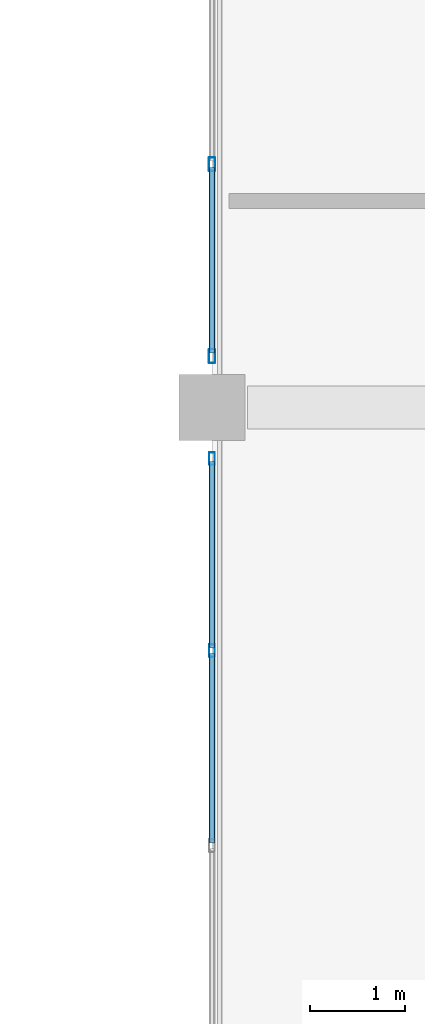
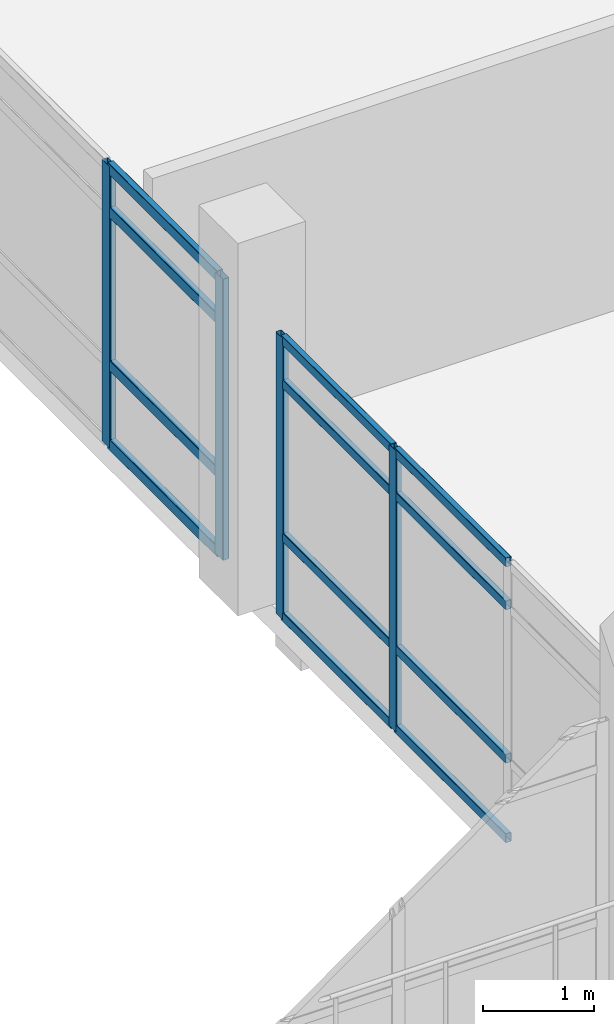
# One storey, part 45 of 134: 16 members, 2 elements without a shape of their own.
"""IFC4 building model written with IfcOpenShell, lengths in metres."""

from ifc_helpers import new_model, si_unit, direction, frame, origin, origin_2d, place, context, subcontext, project, spatial, hollow_rectangle, extrude, material, layer, layer_set, material_profile, profile_set, type_object, element, aggregate, save


model = new_model("IFC4")

# Units and contexts
model_context = context("Model", 3, precision=1e-05, world=origin(), true_north=direction((0.0, 1.0)))
body_context = subcontext(model_context, "Body", "Model", "MODEL_VIEW")
ifc_project = project(units=[si_unit("LENGTHUNIT", "METRE"), si_unit("AREAUNIT", "SQUARE_METRE"), si_unit("VOLUMEUNIT", "CUBIC_METRE"), si_unit("PLANEANGLEUNIT", "RADIAN"), si_unit("MASSUNIT", "GRAM", prefix="KILO")], contexts=[model_context])

# Site, building, storey
site_placement = place(None, origin())
site = spatial("IfcSite", under=ifc_project, at=site_placement, CompositionType="ELEMENT")
building_placement = place(site_placement, origin())
building = spatial("IfcBuilding", under=site, at=building_placement, Name="Asteropetra Specialist Clinic", CompositionType="ELEMENT")
storey_placement = place(building_placement, frame((0.0, 0.0, 8.5)))
storey = spatial("IfcBuildingStorey", under=building, at=storey_placement, Name="L02", CompositionType="ELEMENT", Elevation=8.5)

# Curtain wall, members
ifc_material_1 = material(Name="Aluminium and low-E glass", Category="aluminium")
ifc_layer_1 = layer(ifc_material_1, 0.14990234375)
ifc_layer_set_1 = layer_set([ifc_layer_1], Name="Aluminium and low-E glass")
curtain_wall_type_1 = type_object("IfcCurtainWallType", Name="CW-SYS-05", PredefinedType="USERDEFINED", material=ifc_layer_set_1)
curtain_wall_1_placement = place(storey_placement, origin())
curtain_wall_1 = element("IfcCurtainWall", 1, at=curtain_wall_1_placement, inside=storey, type_object=curtain_wall_type_1, Name="Curtain Wall CW-038", ObjectType="UNITISED CURTAIN WALL", PredefinedType="USERDEFINED")
ifc_material_2 = material(Name="Aluminium 6063-T6", Category="aluminium")
ifc_material_profile_1 = material_profile(ifc_material_2, hollow_rectangle(XDim=0.06005859375, YDim=0.135009765625, WallThickness=0.00341796875, InnerFilletRadius=0.00341796875, OuterFilletRadius=0.007080078125, at=origin_2d()), Name="MUL 135x60x3.5")
ifc_profile_set_1 = profile_set([ifc_material_profile_1], Name="Aluminium 6063-T6")
member_type_1 = type_object("IfcMemberType", Name="CWM-135x60", PredefinedType="MULLION", material=ifc_profile_set_1)
member_1_placement = place(storey_placement, frame((28.800048828125, 81.429931640625, 0.0), z_axis=(0.0, 0.0, 1.0), x_axis=(-1.0, 0.0, 0.0)))
member_1 = element("IfcMember", 2, at=member_1_placement, type_object=member_type_1, Name="CW-038 mullion 3", PredefinedType="MULLION", context=body_context, shape_type="SweptSolid", body=[
    extrude(hollow_rectangle(XDim=0.06005859375, YDim=0.135009765625, WallThickness=0.00341796875, InnerFilletRadius=0.00341796875, OuterFilletRadius=0.007080078125, at=origin_2d()), origin(), (0.0, 0.0, 1.0), 3.080078125),
])
member_2_placement = place(storey_placement, frame((28.800048828125, 83.4599609375, 0.0), z_axis=(0.0, 0.0, 1.0), x_axis=(-1.0, 0.0, 0.0)))
member_2 = element("IfcMember", 3, at=member_2_placement, type_object=member_type_1, Name="CW-038 mullion 4", PredefinedType="MULLION", context=body_context, shape_type="SweptSolid", body=[
    extrude(hollow_rectangle(XDim=0.06005859375, YDim=0.135009765625, WallThickness=0.00341796875, InnerFilletRadius=0.00341796875, OuterFilletRadius=0.007080078125, at=origin_2d()), origin(), (0.0, 0.0, 1.0), 3.080078125),
])

ifc_material_3 = material(Name="Aluminium and low-E glass", Category="aluminium")
ifc_layer_2 = layer(ifc_material_3, 0.135009765625)
ifc_layer_set_2 = layer_set([ifc_layer_2], Name="Aluminium and low-E glass")
curtain_wall_type_2 = type_object("IfcCurtainWallType", Name="CW-SYS-06", PredefinedType="USERDEFINED", material=ifc_layer_set_2)
curtain_wall_2_placement = place(storey_placement, origin())
curtain_wall_2 = element("IfcCurtainWall", 4, at=curtain_wall_2_placement, inside=storey, type_object=curtain_wall_type_2, Name="Curtain Wall CW-040", ObjectType="UNITISED CURTAIN WALL", PredefinedType="USERDEFINED")
ifc_material_4 = material(Name="Aluminium 6063-T6", Category="aluminium")
ifc_material_profile_2 = material_profile(ifc_material_4, hollow_rectangle(XDim=0.06494140625, YDim=0.14990234375, WallThickness=0.00390625, InnerFilletRadius=0.00390625, OuterFilletRadius=0.008056640625, at=origin_2d()), Name="MUL 150x65x4.0")
ifc_profile_set_2 = profile_set([ifc_material_profile_2], Name="Aluminium 6063-T6")
member_type_2 = type_object("IfcMemberType", Name="CWM-150x65", PredefinedType="MULLION", material=ifc_profile_set_2)
member_3_placement = place(storey_placement, frame((28.800048828125, 84.54248046875, 0.0), z_axis=(0.0, 0.0, 1.0), x_axis=(-1.0, 0.0, 0.0)))
member_3 = element("IfcMember", 5, at=member_3_placement, type_object=member_type_2, Name="CW-040 mullion 1", PredefinedType="MULLION", context=body_context, shape_type="SweptSolid", body=[
    extrude(hollow_rectangle(XDim=0.06494140625, YDim=0.14990234375, WallThickness=0.00390625, InnerFilletRadius=0.00390625, OuterFilletRadius=0.008056640625, at=origin_2d()), origin(), (0.0, 0.0, 1.0), 3.080078125),
])
member_4_placement = place(storey_placement, frame((28.800048828125, 86.570068359375, 0.0), z_axis=(0.0, 0.0, 1.0), x_axis=(-1.0, 0.0, 0.0)))
member_4 = element("IfcMember", 6, at=member_4_placement, type_object=member_type_2, Name="CW-040 mullion 2", PredefinedType="MULLION", context=body_context, shape_type="SweptSolid", body=[
    extrude(hollow_rectangle(XDim=0.06494140625, YDim=0.14990234375, WallThickness=0.00390625, InnerFilletRadius=0.00390625, OuterFilletRadius=0.008056640625, at=origin_2d()), origin(), (0.0, 0.0, 1.0), 3.080078125),
])

# Member
ifc_material_5 = material(Name="Aluminium 6063-T6", Category="aluminium")
ifc_material_profile_3 = material_profile(ifc_material_5, hollow_rectangle(XDim=0.06005859375, YDim=0.10009765625, WallThickness=0.00341796875, InnerFilletRadius=0.00341796875, OuterFilletRadius=0.007080078125, at=origin_2d()), Name="TRN 100x60x3.5")
ifc_profile_set_3 = profile_set([ifc_material_profile_3], Name="Aluminium 6063-T6")
member_type_3 = type_object("IfcMemberType", Name="CWT-100x60", PredefinedType="USERDEFINED", material=ifc_profile_set_3)
member_5_placement = place(storey_placement, frame((28.800048828125, 79.39990234375, 0.030029296875), z_axis=(0.0, 1.0, 0.0), x_axis=(-1.0, 0.0, 0.0)))
member_5 = element("IfcMember", 7, at=member_5_placement, type_object=member_type_3, Name="CW-038 transom 2.1", ObjectType="TRANSOM", PredefinedType="USERDEFINED", context=body_context, shape_type="SweptSolid", body=[
    extrude(hollow_rectangle(XDim=0.06005859375, YDim=0.10009765625, WallThickness=0.00341796875, InnerFilletRadius=0.00341796875, OuterFilletRadius=0.007080078125, at=origin_2d()), origin(), (0.0, 0.0, 1.0), 2.0),
])

member_6_placement = place(storey_placement, frame((28.800048828125, 79.39990234375, 0.89990234375), z_axis=(0.0, 1.0, 0.0), x_axis=(-1.0, 0.0, 0.0)))
member_6 = element("IfcMember", 8, at=member_6_placement, type_object=member_type_3, Name="CW-038 transom 2.2", ObjectType="TRANSOM", PredefinedType="USERDEFINED", context=body_context, shape_type="SweptSolid", body=[
    extrude(hollow_rectangle(XDim=0.06005859375, YDim=0.10009765625, WallThickness=0.00341796875, InnerFilletRadius=0.00341796875, OuterFilletRadius=0.007080078125, at=origin_2d()), origin(), (0.0, 0.0, 1.0), 2.0),
])

member_7_placement = place(storey_placement, frame((28.800048828125, 79.39990234375, 2.580078125), z_axis=(0.0, 1.0, 0.0), x_axis=(-1.0, 0.0, 0.0)))
member_7 = element("IfcMember", 9, at=member_7_placement, type_object=member_type_3, Name="CW-038 transom 2.3", ObjectType="TRANSOM", PredefinedType="USERDEFINED", context=body_context, shape_type="SweptSolid", body=[
    extrude(hollow_rectangle(XDim=0.06005859375, YDim=0.10009765625, WallThickness=0.00341796875, InnerFilletRadius=0.00341796875, OuterFilletRadius=0.007080078125, at=origin_2d()), origin(), (0.0, 0.0, 1.0), 2.0),
])

member_8_placement = place(storey_placement, frame((28.800048828125, 79.39990234375, 3.050048828125), z_axis=(0.0, 1.0, 0.0), x_axis=(-1.0, 0.0, 0.0)))
member_8 = element("IfcMember", 10, at=member_8_placement, type_object=member_type_3, Name="CW-038 transom 2.4", ObjectType="TRANSOM", PredefinedType="USERDEFINED", context=body_context, shape_type="SweptSolid", body=[
    extrude(hollow_rectangle(XDim=0.06005859375, YDim=0.10009765625, WallThickness=0.00341796875, InnerFilletRadius=0.00341796875, OuterFilletRadius=0.007080078125, at=origin_2d()), origin(), (0.0, 0.0, 1.0), 2.0),
])

member_9_placement = place(storey_placement, frame((28.800048828125, 81.4599609375, 0.030029296875), z_axis=(0.0, 1.0, 0.0), x_axis=(-1.0, 0.0, 0.0)))
member_9 = element("IfcMember", 11, at=member_9_placement, type_object=member_type_3, Name="CW-038 transom 3.1", ObjectType="TRANSOM", PredefinedType="USERDEFINED", context=body_context, shape_type="SweptSolid", body=[
    extrude(hollow_rectangle(XDim=0.06005859375, YDim=0.10009765625, WallThickness=0.00341796875, InnerFilletRadius=0.00341796875, OuterFilletRadius=0.007080078125, at=origin_2d()), origin(), (0.0, 0.0, 1.0), 1.969970703125),
])

member_10_placement = place(storey_placement, frame((28.800048828125, 81.4599609375, 0.89990234375), z_axis=(0.0, 1.0, 0.0), x_axis=(-1.0, 0.0, 0.0)))
member_10 = element("IfcMember", 12, at=member_10_placement, type_object=member_type_3, Name="CW-038 transom 3.2", ObjectType="TRANSOM", PredefinedType="USERDEFINED", context=body_context, shape_type="SweptSolid", body=[
    extrude(hollow_rectangle(XDim=0.06005859375, YDim=0.10009765625, WallThickness=0.00341796875, InnerFilletRadius=0.00341796875, OuterFilletRadius=0.007080078125, at=origin_2d()), origin(), (0.0, 0.0, 1.0), 1.969970703125),
])

member_11_placement = place(storey_placement, frame((28.800048828125, 81.4599609375, 2.580078125), z_axis=(0.0, 1.0, 0.0), x_axis=(-1.0, 0.0, 0.0)))
member_11 = element("IfcMember", 13, at=member_11_placement, type_object=member_type_3, Name="CW-038 transom 3.3", ObjectType="TRANSOM", PredefinedType="USERDEFINED", context=body_context, shape_type="SweptSolid", body=[
    extrude(hollow_rectangle(XDim=0.06005859375, YDim=0.10009765625, WallThickness=0.00341796875, InnerFilletRadius=0.00341796875, OuterFilletRadius=0.007080078125, at=origin_2d()), origin(), (0.0, 0.0, 1.0), 1.969970703125),
])

member_12_placement = place(storey_placement, frame((28.800048828125, 81.4599609375, 3.050048828125), z_axis=(0.0, 1.0, 0.0), x_axis=(-1.0, 0.0, 0.0)))
member_12 = element("IfcMember", 14, at=member_12_placement, type_object=member_type_3, Name="CW-038 transom 3.4", ObjectType="TRANSOM", PredefinedType="USERDEFINED", context=body_context, shape_type="SweptSolid", body=[
    extrude(hollow_rectangle(XDim=0.06005859375, YDim=0.10009765625, WallThickness=0.00341796875, InnerFilletRadius=0.00341796875, OuterFilletRadius=0.007080078125, at=origin_2d()), origin(), (0.0, 0.0, 1.0), 1.969970703125),
])

aggregate(curtain_wall_1, [member_1, member_2, member_5, member_6, member_7, member_8, member_9, member_10, member_11, member_12])

ifc_material_6 = material(Name="Aluminium 6063-T6", Category="aluminium")
ifc_material_profile_4 = material_profile(ifc_material_6, hollow_rectangle(XDim=0.06494140625, YDim=0.1201171875, WallThickness=0.00390625, InnerFilletRadius=0.00390625, OuterFilletRadius=0.008056640625, at=origin_2d()), Name="TRN 120x65x4.0")
ifc_profile_set_4 = profile_set([ifc_material_profile_4], Name="Aluminium 6063-T6")
member_type_4 = type_object("IfcMemberType", Name="CWT-120x65", PredefinedType="USERDEFINED", material=ifc_profile_set_4)
member_13_placement = place(storey_placement, frame((28.800048828125, 84.574951171875, 0.032470703125), z_axis=(0.0, 1.0, 0.0), x_axis=(-1.0, 0.0, 0.0)))
member_13 = element("IfcMember", 15, at=member_13_placement, type_object=member_type_4, Name="CW-040 transom 1.1", ObjectType="TRANSOM", PredefinedType="USERDEFINED", context=body_context, shape_type="SweptSolid", body=[
    extrude(hollow_rectangle(XDim=0.06494140625, YDim=0.1201171875, WallThickness=0.00390625, InnerFilletRadius=0.00390625, OuterFilletRadius=0.008056640625, at=origin_2d()), origin(), (0.0, 0.0, 1.0), 1.962646484375),
])

member_14_placement = place(storey_placement, frame((28.800048828125, 84.574951171875, 0.89990234375), z_axis=(0.0, 1.0, 0.0), x_axis=(-1.0, 0.0, 0.0)))
member_14 = element("IfcMember", 16, at=member_14_placement, type_object=member_type_4, Name="CW-040 transom 1.2", ObjectType="TRANSOM", PredefinedType="USERDEFINED", context=body_context, shape_type="SweptSolid", body=[
    extrude(hollow_rectangle(XDim=0.06494140625, YDim=0.1201171875, WallThickness=0.00390625, InnerFilletRadius=0.00390625, OuterFilletRadius=0.008056640625, at=origin_2d()), origin(), (0.0, 0.0, 1.0), 1.962646484375),
])

member_15_placement = place(storey_placement, frame((28.800048828125, 84.574951171875, 2.580078125), z_axis=(0.0, 1.0, 0.0), x_axis=(-1.0, 0.0, 0.0)))
member_15 = element("IfcMember", 17, at=member_15_placement, type_object=member_type_4, Name="CW-040 transom 1.3", ObjectType="TRANSOM", PredefinedType="USERDEFINED", context=body_context, shape_type="SweptSolid", body=[
    extrude(hollow_rectangle(XDim=0.06494140625, YDim=0.1201171875, WallThickness=0.00390625, InnerFilletRadius=0.00390625, OuterFilletRadius=0.008056640625, at=origin_2d()), origin(), (0.0, 0.0, 1.0), 1.962646484375),
])

member_16_placement = place(storey_placement, frame((28.800048828125, 84.574951171875, 3.047607421875), z_axis=(0.0, 1.0, 0.0), x_axis=(-1.0, 0.0, 0.0)))
member_16 = element("IfcMember", 18, at=member_16_placement, type_object=member_type_4, Name="CW-040 transom 1.4", ObjectType="TRANSOM", PredefinedType="USERDEFINED", context=body_context, shape_type="SweptSolid", body=[
    extrude(hollow_rectangle(XDim=0.06494140625, YDim=0.1201171875, WallThickness=0.00390625, InnerFilletRadius=0.00390625, OuterFilletRadius=0.008056640625, at=origin_2d()), origin(), (0.0, 0.0, 1.0), 1.962646484375),
])

aggregate(curtain_wall_2, [member_3, member_4, member_13, member_14, member_15, member_16])

save(model, "model.ifc")
